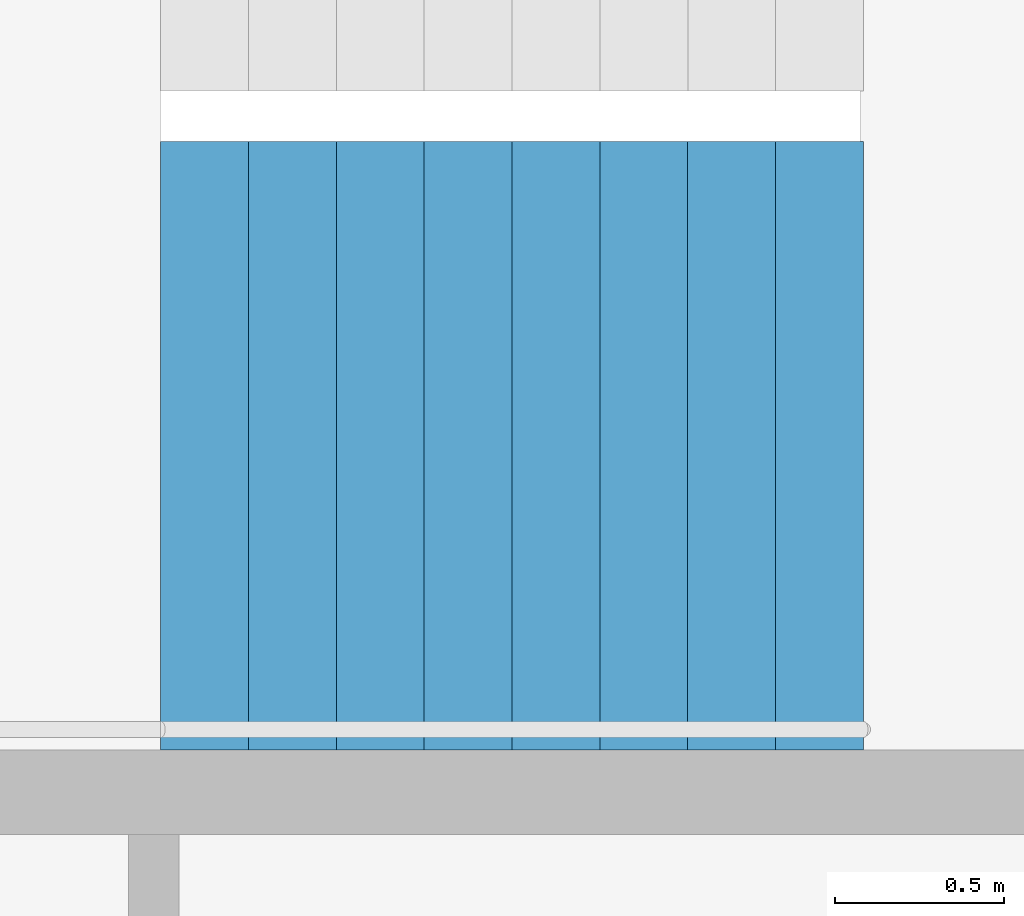
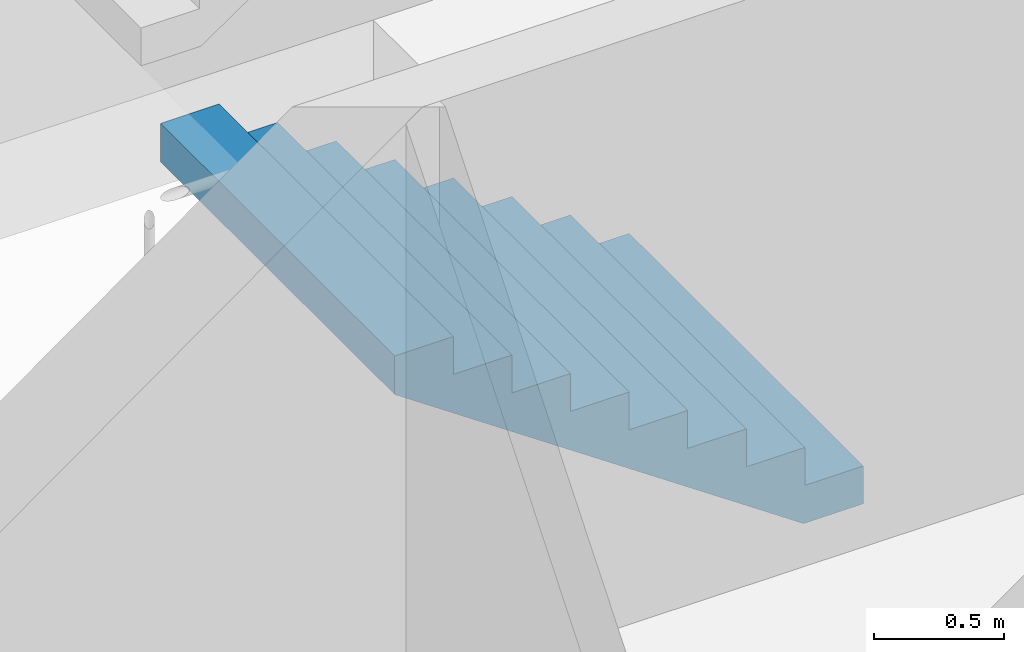
# One storey, part 22 of 28: 1 stair flight, 1 element without a shape of its own.
"""IFC4 building model written with IfcOpenShell, lengths in metres."""

from ifc_helpers import new_model, si_unit, direction, frame, origin, place, context, subcontext, project, spatial, triangles, material, type_object, element, aggregate, save


model = new_model("IFC4")

# Units and contexts
model_context = context("Model", 3, precision=1e-05, world=origin(), true_north=direction((0.0, 1.0)))
body_context = subcontext(model_context, "Body", "Model", "MODEL_VIEW")
ifc_project = project(units=[si_unit("LENGTHUNIT", "METRE"), si_unit("AREAUNIT", "SQUARE_METRE"), si_unit("VOLUMEUNIT", "CUBIC_METRE"), si_unit("PLANEANGLEUNIT", "RADIAN"), si_unit("MASSUNIT", "GRAM", prefix="KILO")], contexts=[model_context])

# Site, building, storey
site_placement = place(None, origin())
site = spatial("IfcSite", under=ifc_project, at=site_placement, CompositionType="ELEMENT")
building_placement = place(site_placement, origin())
building = spatial("IfcBuilding", under=site, at=building_placement, Name="Hakoniwa Tower and Hamabe Station Hall", CompositionType="ELEMENT")
storey_placement = place(building_placement, frame((0.0, 0.0, 193.0)))
storey = spatial("IfcBuildingStorey", under=building, at=storey_placement, Name="L54", CompositionType="ELEMENT", Elevation=193.0)

# Stair, stair flight
ifc_material_1 = material(Name="Concrete C40", Category="concrete")
stair_type = type_object("IfcStairType", Name="ESCAPE STAIR 1800", PredefinedType="HALF_TURN_STAIR", material=ifc_material_1)
stair_placement = place(storey_placement, origin())
stair = element("IfcStair", 1, at=stair_placement, inside=storey, type_object=stair_type, Name="Escape stair ST-3 L54", PredefinedType="HALF_TURN_STAIR")
ifc_material_2 = material(Name="Concrete C40", Category="concrete")
stair_flight_type = type_object("IfcStairFlightType", Name="STAIR FLIGHT 1800", PredefinedType="STRAIGHT", material=ifc_material_2)
stair_flight_placement = place(storey_placement, frame((24.39990234375, 4.64990234375, 0.0), z_axis=(0.0, 0.0, 1.0), x_axis=(-1.0, 0.0, 0.0)))
stair_flight = element("IfcStairFlight", 2, at=stair_flight_placement, type_object=stair_flight_type, Name="ST-3 flight 1", NumberOfRisers=9, NumberOfTreads=8, PredefinedType="STRAIGHT", RiserHeight=0.177777778, TreadLength=0.26, context=body_context, shape_type="Tessellation", body=[
    triangles([(0.0, 0.89990234375, 0.0), (0.260009765625, 0.89990234375, 0.0), (0.265625, 0.89990234375, 0.0), (0.52001953125, 0.89990234375, 0.174072265625), (0.780029296875, 0.89990234375, 0.351806640625), (1.0400390625, 0.89990234375, 0.529541015625), (1.300048828125, 0.89990234375, 0.707275390625), (1.56005859375, 0.89990234375, 0.885009765625), (1.820068359375, 0.89990234375, 1.062744140625), (2.080078125, 0.89990234375, 1.24072265625), (2.080078125, 0.89990234375, 1.422119140625), (1.820068359375, 0.89990234375, 1.422119140625), (1.820068359375, 0.89990234375, 1.244384765625), (1.56005859375, 0.89990234375, 1.244384765625), (1.56005859375, 0.89990234375, 1.066650390625), (1.300048828125, 0.89990234375, 1.066650390625), (1.300048828125, 0.89990234375, 0.888916015625), (1.0400390625, 0.89990234375, 0.888916015625), (1.0400390625, 0.89990234375, 0.711181640625), (0.780029296875, 0.89990234375, 0.711181640625), (0.780029296875, 0.89990234375, 0.533447265625), (0.52001953125, 0.89990234375, 0.533447265625), (0.52001953125, 0.89990234375, 0.35546875), (0.265625, 0.89990234375, 0.35546875), (0.260009765625, 0.89990234375, 0.35546875), (0.260009765625, 0.89990234375, 0.177734375), (0.0, 0.89990234375, 0.177734375), (0.0, 0.06005859375, 0.0), (0.260009765625, 0.06005859375, 0.0), (0.265625, 0.06005859375, 0.0), (0.52001953125, 0.06005859375, 0.174072265625), (0.780029296875, 0.06005859375, 0.351806640625), (1.0400390625, 0.06005859375, 0.529541015625), (1.300048828125, 0.06005859375, 0.707275390625), (1.56005859375, 0.06005859375, 0.885009765625), (1.820068359375, 0.06005859375, 1.062744140625), (2.080078125, 0.06005859375, 1.24072265625), (2.080078125, 0.06005859375, 1.422119140625), (1.820068359375, 0.06005859375, 1.422119140625), (1.820068359375, 0.06005859375, 1.244384765625), (1.56005859375, 0.06005859375, 1.244384765625), (1.56005859375, 0.06005859375, 1.066650390625), (1.300048828125, 0.06005859375, 1.066650390625), (1.300048828125, 0.06005859375, 0.888916015625), (1.0400390625, 0.06005859375, 0.888916015625), (1.0400390625, 0.06005859375, 0.711181640625), (0.780029296875, 0.06005859375, 0.711181640625), (0.780029296875, 0.06005859375, 0.533447265625), (0.52001953125, 0.06005859375, 0.533447265625), (0.52001953125, 0.06005859375, 0.35546875), (0.265625, 0.06005859375, 0.35546875), (0.260009765625, 0.06005859375, 0.35546875), (0.260009765625, 0.06005859375, 0.177734375), (0.0, 0.06005859375, 0.177734375), (0.0, 0.04296875, 0.0), (0.260009765625, 0.04296875, 0.0), (0.265625, 0.04296875, 0.0), (0.52001953125, 0.04296875, 0.174072265625), (0.780029296875, 0.04296875, 0.351806640625), (1.0400390625, 0.04296875, 0.529541015625), (1.300048828125, 0.04296875, 0.707275390625), (1.56005859375, 0.04296875, 0.885009765625), (1.820068359375, 0.04296875, 1.062744140625), (2.080078125, 0.04296875, 1.24072265625), (2.080078125, 0.04296875, 1.422119140625), (1.820068359375, 0.04296875, 1.422119140625), (1.820068359375, 0.04296875, 1.244384765625), (1.56005859375, 0.04296875, 1.244384765625), (1.56005859375, 0.04296875, 1.066650390625), (1.300048828125, 0.04296875, 1.066650390625), (1.300048828125, 0.04296875, 0.888916015625), (1.0400390625, 0.04296875, 0.888916015625), (1.0400390625, 0.04296875, 0.711181640625), (0.780029296875, 0.04296875, 0.711181640625), (0.780029296875, 0.04296875, 0.533447265625), (0.52001953125, 0.04296875, 0.533447265625), (0.52001953125, 0.04296875, 0.35546875), (0.265625, 0.04296875, 0.35546875), (0.260009765625, 0.04296875, 0.35546875), (0.260009765625, 0.04296875, 0.177734375), (0.0, 0.04296875, 0.177734375), (0.0, 0.025634765625, 0.0), (0.260009765625, 0.025634765625, 0.0), (0.265625, 0.025634765625, 0.0), (0.52001953125, 0.025634765625, 0.174072265625), (0.780029296875, 0.025634765625, 0.351806640625), (1.0400390625, 0.025634765625, 0.529541015625), (1.300048828125, 0.025634765625, 0.707275390625), (1.56005859375, 0.025634765625, 0.885009765625), (1.820068359375, 0.025634765625, 1.062744140625), (2.080078125, 0.025634765625, 1.24072265625), (2.080078125, 0.025634765625, 1.422119140625), (1.820068359375, 0.025634765625, 1.422119140625), (1.820068359375, 0.025634765625, 1.244384765625), (1.56005859375, 0.025634765625, 1.244384765625), (1.56005859375, 0.025634765625, 1.066650390625), (1.300048828125, 0.025634765625, 1.066650390625), (1.300048828125, 0.025634765625, 0.888916015625), (1.0400390625, 0.025634765625, 0.888916015625), (1.0400390625, 0.025634765625, 0.711181640625), (0.780029296875, 0.025634765625, 0.711181640625), (0.780029296875, 0.025634765625, 0.533447265625), (0.52001953125, 0.025634765625, 0.533447265625), (0.52001953125, 0.025634765625, 0.35546875), (0.265625, 0.025634765625, 0.35546875), (0.260009765625, 0.025634765625, 0.35546875), (0.260009765625, 0.025634765625, 0.177734375), (0.0, 0.025634765625, 0.177734375), (0.0, 0.008544921875, 0.0), (0.260009765625, 0.008544921875, 0.0), (0.265625, 0.008544921875, 0.0), (0.52001953125, 0.008544921875, 0.174072265625), (0.780029296875, 0.008544921875, 0.351806640625), (1.0400390625, 0.008544921875, 0.529541015625), (1.300048828125, 0.008544921875, 0.707275390625), (1.56005859375, 0.008544921875, 0.885009765625), (1.820068359375, 0.008544921875, 1.062744140625), (2.080078125, 0.008544921875, 1.24072265625), (2.080078125, 0.008544921875, 1.422119140625), (1.820068359375, 0.008544921875, 1.422119140625), (1.820068359375, 0.008544921875, 1.244384765625), (1.56005859375, 0.008544921875, 1.244384765625), (1.56005859375, 0.008544921875, 1.066650390625), (1.300048828125, 0.008544921875, 1.066650390625), (1.300048828125, 0.008544921875, 0.888916015625), (1.0400390625, 0.008544921875, 0.888916015625), (1.0400390625, 0.008544921875, 0.711181640625), (0.780029296875, 0.008544921875, 0.711181640625), (0.780029296875, 0.008544921875, 0.533447265625), (0.52001953125, 0.008544921875, 0.533447265625), (0.52001953125, 0.008544921875, 0.35546875), (0.265625, 0.008544921875, 0.35546875), (0.260009765625, 0.008544921875, 0.35546875), (0.260009765625, 0.008544921875, 0.177734375), (0.0, 0.008544921875, 0.177734375), (0.0, -0.008544921875, 0.0), (0.260009765625, -0.008544921875, 0.0), (0.265625, -0.008544921875, 0.0), (0.52001953125, -0.008544921875, 0.174072265625), (0.780029296875, -0.008544921875, 0.351806640625), (1.0400390625, -0.008544921875, 0.529541015625), (1.300048828125, -0.008544921875, 0.707275390625), (1.56005859375, -0.008544921875, 0.885009765625), (1.820068359375, -0.008544921875, 1.062744140625), (2.080078125, -0.008544921875, 1.24072265625), (2.080078125, -0.008544921875, 1.422119140625), (1.820068359375, -0.008544921875, 1.422119140625), (1.820068359375, -0.008544921875, 1.244384765625), (1.56005859375, -0.008544921875, 1.244384765625), (1.56005859375, -0.008544921875, 1.066650390625), (1.300048828125, -0.008544921875, 1.066650390625), (1.300048828125, -0.008544921875, 0.888916015625), (1.0400390625, -0.008544921875, 0.888916015625), (1.0400390625, -0.008544921875, 0.711181640625), (0.780029296875, -0.008544921875, 0.711181640625), (0.780029296875, -0.008544921875, 0.533447265625), (0.52001953125, -0.008544921875, 0.533447265625), (0.52001953125, -0.008544921875, 0.35546875), (0.265625, -0.008544921875, 0.35546875), (0.260009765625, -0.008544921875, 0.35546875), (0.260009765625, -0.008544921875, 0.177734375), (0.0, -0.008544921875, 0.177734375), (0.0, -0.025634765625, 0.0), (0.260009765625, -0.025634765625, 0.0), (0.265625, -0.025634765625, 0.0), (0.52001953125, -0.025634765625, 0.174072265625), (0.780029296875, -0.025634765625, 0.351806640625), (1.0400390625, -0.025634765625, 0.529541015625), (1.300048828125, -0.025634765625, 0.707275390625), (1.56005859375, -0.025634765625, 0.885009765625), (1.820068359375, -0.025634765625, 1.062744140625), (2.080078125, -0.025634765625, 1.24072265625), (2.080078125, -0.025634765625, 1.422119140625), (1.820068359375, -0.025634765625, 1.422119140625), (1.820068359375, -0.025634765625, 1.244384765625), (1.56005859375, -0.025634765625, 1.244384765625), (1.56005859375, -0.025634765625, 1.066650390625), (1.300048828125, -0.025634765625, 1.066650390625), (1.300048828125, -0.025634765625, 0.888916015625), (1.0400390625, -0.025634765625, 0.888916015625), (1.0400390625, -0.025634765625, 0.711181640625), (0.780029296875, -0.025634765625, 0.711181640625), (0.780029296875, -0.025634765625, 0.533447265625), (0.52001953125, -0.025634765625, 0.533447265625), (0.52001953125, -0.025634765625, 0.35546875), (0.265625, -0.025634765625, 0.35546875), (0.260009765625, -0.025634765625, 0.35546875), (0.260009765625, -0.025634765625, 0.177734375), (0.0, -0.025634765625, 0.177734375), (0.0, -0.04296875, 0.0), (0.260009765625, -0.04296875, 0.0), (0.265625, -0.04296875, 0.0), (0.52001953125, -0.04296875, 0.174072265625), (0.780029296875, -0.04296875, 0.351806640625), (1.0400390625, -0.04296875, 0.529541015625), (1.300048828125, -0.04296875, 0.707275390625), (1.56005859375, -0.04296875, 0.885009765625), (1.820068359375, -0.04296875, 1.062744140625), (2.080078125, -0.04296875, 1.24072265625), (2.080078125, -0.04296875, 1.422119140625), (1.820068359375, -0.04296875, 1.422119140625), (1.820068359375, -0.04296875, 1.244384765625), (1.56005859375, -0.04296875, 1.244384765625), (1.56005859375, -0.04296875, 1.066650390625), (1.300048828125, -0.04296875, 1.066650390625), (1.300048828125, -0.04296875, 0.888916015625), (1.0400390625, -0.04296875, 0.888916015625), (1.0400390625, -0.04296875, 0.711181640625), (0.780029296875, -0.04296875, 0.711181640625), (0.780029296875, -0.04296875, 0.533447265625), (0.52001953125, -0.04296875, 0.533447265625), (0.52001953125, -0.04296875, 0.35546875), (0.265625, -0.04296875, 0.35546875), (0.260009765625, -0.04296875, 0.35546875), (0.260009765625, -0.04296875, 0.177734375), (0.0, -0.04296875, 0.177734375), (0.0, -0.06005859375, 0.0), (0.260009765625, -0.06005859375, 0.0), (0.265625, -0.06005859375, 0.0), (0.52001953125, -0.06005859375, 0.174072265625), (0.780029296875, -0.06005859375, 0.351806640625), (1.0400390625, -0.06005859375, 0.529541015625), (1.300048828125, -0.06005859375, 0.707275390625), (1.56005859375, -0.06005859375, 0.885009765625), (1.820068359375, -0.06005859375, 1.062744140625), (2.080078125, -0.06005859375, 1.24072265625), (2.080078125, -0.06005859375, 1.422119140625), (1.820068359375, -0.06005859375, 1.422119140625), (1.820068359375, -0.06005859375, 1.244384765625), (1.56005859375, -0.06005859375, 1.244384765625), (1.56005859375, -0.06005859375, 1.066650390625), (1.300048828125, -0.06005859375, 1.066650390625), (1.300048828125, -0.06005859375, 0.888916015625), (1.0400390625, -0.06005859375, 0.888916015625), (1.0400390625, -0.06005859375, 0.711181640625), (0.780029296875, -0.06005859375, 0.711181640625), (0.780029296875, -0.06005859375, 0.533447265625), (0.52001953125, -0.06005859375, 0.533447265625), (0.52001953125, -0.06005859375, 0.35546875), (0.265625, -0.06005859375, 0.35546875), (0.260009765625, -0.06005859375, 0.35546875), (0.260009765625, -0.06005859375, 0.177734375), (0.0, -0.06005859375, 0.177734375), (0.0, -0.89990234375, 0.0), (0.260009765625, -0.89990234375, 0.0), (0.265625, -0.89990234375, 0.0), (0.52001953125, -0.89990234375, 0.174072265625), (0.780029296875, -0.89990234375, 0.351806640625), (1.0400390625, -0.89990234375, 0.529541015625), (1.300048828125, -0.89990234375, 0.707275390625), (1.56005859375, -0.89990234375, 0.885009765625), (1.820068359375, -0.89990234375, 1.062744140625), (2.080078125, -0.89990234375, 1.24072265625), (2.080078125, -0.89990234375, 1.422119140625), (1.820068359375, -0.89990234375, 1.422119140625), (1.820068359375, -0.89990234375, 1.244384765625), (1.56005859375, -0.89990234375, 1.244384765625), (1.56005859375, -0.89990234375, 1.066650390625), (1.300048828125, -0.89990234375, 1.066650390625), (1.300048828125, -0.89990234375, 0.888916015625), (1.0400390625, -0.89990234375, 0.888916015625), (1.0400390625, -0.89990234375, 0.711181640625), (0.780029296875, -0.89990234375, 0.711181640625), (0.780029296875, -0.89990234375, 0.533447265625), (0.52001953125, -0.89990234375, 0.533447265625), (0.52001953125, -0.89990234375, 0.35546875), (0.265625, -0.89990234375, 0.35546875), (0.260009765625, -0.89990234375, 0.35546875), (0.260009765625, -0.89990234375, 0.177734375), (0.0, -0.89990234375, 0.177734375)], [[2, 27, 26], [245, 269, 270], [2, 1, 27], [245, 270, 244], [3, 25, 24], [246, 267, 268], [3, 26, 25], [246, 268, 269], [3, 2, 26], [246, 269, 245], [4, 24, 23], [247, 266, 267], [4, 3, 24], [247, 267, 246], [5, 22, 21], [248, 264, 265], [5, 23, 22], [248, 265, 266], [5, 4, 23], [248, 266, 247], [6, 20, 19], [249, 262, 263], [6, 21, 20], [249, 263, 264], [6, 5, 21], [249, 264, 248], [7, 18, 17], [250, 260, 261], [7, 19, 18], [250, 261, 262], [7, 6, 19], [250, 262, 249], [8, 16, 15], [251, 258, 259], [8, 17, 16], [251, 259, 260], [8, 7, 17], [251, 260, 250], [9, 14, 13], [252, 256, 257], [9, 15, 14], [252, 257, 258], [9, 8, 15], [252, 258, 251], [10, 12, 11], [253, 254, 255], [10, 13, 12], [253, 255, 256], [10, 9, 13], [253, 256, 252], [1, 2, 29], [1, 29, 28], [28, 29, 56], [28, 56, 55], [55, 56, 83], [55, 83, 82], [82, 83, 110], [82, 110, 109], [109, 110, 137], [109, 137, 136], [136, 137, 164], [136, 164, 163], [163, 164, 191], [163, 191, 190], [190, 191, 218], [190, 218, 217], [217, 218, 245], [217, 245, 244], [2, 3, 30], [2, 30, 29], [29, 30, 57], [29, 57, 56], [56, 57, 84], [56, 84, 83], [83, 84, 111], [83, 111, 110], [110, 111, 138], [110, 138, 137], [137, 138, 165], [137, 165, 164], [164, 165, 192], [164, 192, 191], [191, 192, 219], [191, 219, 218], [218, 219, 246], [218, 246, 245], [3, 4, 31], [3, 31, 30], [30, 31, 58], [30, 58, 57], [57, 58, 85], [57, 85, 84], [84, 85, 112], [84, 112, 111], [111, 112, 139], [111, 139, 138], [138, 139, 166], [138, 166, 165], [165, 166, 193], [165, 193, 192], [192, 193, 220], [192, 220, 219], [219, 220, 247], [219, 247, 246], [4, 5, 32], [4, 32, 31], [31, 32, 59], [31, 59, 58], [58, 59, 86], [58, 86, 85], [85, 86, 113], [85, 113, 112], [112, 113, 140], [112, 140, 139], [139, 140, 167], [139, 167, 166], [166, 167, 194], [166, 194, 193], [193, 194, 221], [193, 221, 220], [220, 221, 248], [220, 248, 247], [5, 6, 33], [5, 33, 32], [32, 33, 60], [32, 60, 59], [59, 60, 87], [59, 87, 86], [86, 87, 114], [86, 114, 113], [113, 114, 141], [113, 141, 140], [140, 141, 168], [140, 168, 167], [167, 168, 195], [167, 195, 194], [194, 195, 222], [194, 222, 221], [221, 222, 249], [221, 249, 248], [6, 7, 34], [6, 34, 33], [33, 34, 61], [33, 61, 60], [60, 61, 88], [60, 88, 87], [87, 88, 115], [87, 115, 114], [114, 115, 142], [114, 142, 141], [141, 142, 169], [141, 169, 168], [168, 169, 196], [168, 196, 195], [195, 196, 223], [195, 223, 222], [222, 223, 250], [222, 250, 249], [7, 8, 35], [7, 35, 34], [34, 35, 62], [34, 62, 61], [61, 62, 89], [61, 89, 88], [88, 89, 116], [88, 116, 115], [115, 116, 143], [115, 143, 142], [142, 143, 170], [142, 170, 169], [169, 170, 197], [169, 197, 196], [196, 197, 224], [196, 224, 223], [223, 224, 251], [223, 251, 250], [8, 9, 36], [8, 36, 35], [35, 36, 63], [35, 63, 62], [62, 63, 90], [62, 90, 89], [89, 90, 117], [89, 117, 116], [116, 117, 144], [116, 144, 143], [143, 144, 171], [143, 171, 170], [170, 171, 198], [170, 198, 197], [197, 198, 225], [197, 225, 224], [224, 225, 252], [224, 252, 251], [9, 10, 37], [9, 37, 36], [36, 37, 64], [36, 64, 63], [63, 64, 91], [63, 91, 90], [90, 91, 118], [90, 118, 117], [117, 118, 145], [117, 145, 144], [144, 145, 172], [144, 172, 171], [171, 172, 199], [171, 199, 198], [198, 199, 226], [198, 226, 225], [225, 226, 253], [225, 253, 252], [10, 11, 38], [10, 38, 37], [37, 38, 65], [37, 65, 64], [64, 65, 92], [64, 92, 91], [91, 92, 119], [91, 119, 118], [118, 119, 146], [118, 146, 145], [145, 146, 173], [145, 173, 172], [172, 173, 200], [172, 200, 199], [199, 200, 227], [199, 227, 226], [226, 227, 254], [226, 254, 253], [11, 12, 39], [11, 39, 38], [38, 39, 66], [38, 66, 65], [65, 66, 93], [65, 93, 92], [92, 93, 120], [92, 120, 119], [119, 120, 147], [119, 147, 146], [146, 147, 174], [146, 174, 173], [173, 174, 201], [173, 201, 200], [200, 201, 228], [200, 228, 227], [227, 228, 255], [227, 255, 254], [12, 13, 40], [12, 40, 39], [39, 40, 67], [39, 67, 66], [66, 67, 94], [66, 94, 93], [93, 94, 121], [93, 121, 120], [120, 121, 148], [120, 148, 147], [147, 148, 175], [147, 175, 174], [174, 175, 202], [174, 202, 201], [201, 202, 229], [201, 229, 228], [228, 229, 256], [228, 256, 255], [13, 14, 41], [13, 41, 40], [40, 41, 68], [40, 68, 67], [67, 68, 95], [67, 95, 94], [94, 95, 122], [94, 122, 121], [121, 122, 149], [121, 149, 148], [148, 149, 176], [148, 176, 175], [175, 176, 203], [175, 203, 202], [202, 203, 230], [202, 230, 229], [229, 230, 257], [229, 257, 256], [14, 15, 42], [14, 42, 41], [41, 42, 69], [41, 69, 68], [68, 69, 96], [68, 96, 95], [95, 96, 123], [95, 123, 122], [122, 123, 150], [122, 150, 149], [149, 150, 177], [149, 177, 176], [176, 177, 204], [176, 204, 203], [203, 204, 231], [203, 231, 230], [230, 231, 258], [230, 258, 257], [15, 16, 43], [15, 43, 42], [42, 43, 70], [42, 70, 69], [69, 70, 97], [69, 97, 96], [96, 97, 124], [96, 124, 123], [123, 124, 151], [123, 151, 150], [150, 151, 178], [150, 178, 177], [177, 178, 205], [177, 205, 204], [204, 205, 232], [204, 232, 231], [231, 232, 259], [231, 259, 258], [16, 17, 44], [16, 44, 43], [43, 44, 71], [43, 71, 70], [70, 71, 98], [70, 98, 97], [97, 98, 125], [97, 125, 124], [124, 125, 152], [124, 152, 151], [151, 152, 179], [151, 179, 178], [178, 179, 206], [178, 206, 205], [205, 206, 233], [205, 233, 232], [232, 233, 260], [232, 260, 259], [17, 18, 45], [17, 45, 44], [44, 45, 72], [44, 72, 71], [71, 72, 99], [71, 99, 98], [98, 99, 126], [98, 126, 125], [125, 126, 153], [125, 153, 152], [152, 153, 180], [152, 180, 179], [179, 180, 207], [179, 207, 206], [206, 207, 234], [206, 234, 233], [233, 234, 261], [233, 261, 260], [18, 19, 46], [18, 46, 45], [45, 46, 73], [45, 73, 72], [72, 73, 100], [72, 100, 99], [99, 100, 127], [99, 127, 126], [126, 127, 154], [126, 154, 153], [153, 154, 181], [153, 181, 180], [180, 181, 208], [180, 208, 207], [207, 208, 235], [207, 235, 234], [234, 235, 262], [234, 262, 261], [19, 20, 47], [19, 47, 46], [46, 47, 74], [46, 74, 73], [73, 74, 101], [73, 101, 100], [100, 101, 128], [100, 128, 127], [127, 128, 155], [127, 155, 154], [154, 155, 182], [154, 182, 181], [181, 182, 209], [181, 209, 208], [208, 209, 236], [208, 236, 235], [235, 236, 263], [235, 263, 262], [20, 21, 48], [20, 48, 47], [47, 48, 75], [47, 75, 74], [74, 75, 102], [74, 102, 101], [101, 102, 129], [101, 129, 128], [128, 129, 156], [128, 156, 155], [155, 156, 183], [155, 183, 182], [182, 183, 210], [182, 210, 209], [209, 210, 237], [209, 237, 236], [236, 237, 264], [236, 264, 263], [21, 22, 49], [21, 49, 48], [48, 49, 76], [48, 76, 75], [75, 76, 103], [75, 103, 102], [102, 103, 130], [102, 130, 129], [129, 130, 157], [129, 157, 156], [156, 157, 184], [156, 184, 183], [183, 184, 211], [183, 211, 210], [210, 211, 238], [210, 238, 237], [237, 238, 265], [237, 265, 264], [22, 23, 50], [22, 50, 49], [49, 50, 77], [49, 77, 76], [76, 77, 104], [76, 104, 103], [103, 104, 131], [103, 131, 130], [130, 131, 158], [130, 158, 157], [157, 158, 185], [157, 185, 184], [184, 185, 212], [184, 212, 211], [211, 212, 239], [211, 239, 238], [238, 239, 266], [238, 266, 265], [23, 24, 51], [23, 51, 50], [50, 51, 78], [50, 78, 77], [77, 78, 105], [77, 105, 104], [104, 105, 132], [104, 132, 131], [131, 132, 159], [131, 159, 158], [158, 159, 186], [158, 186, 185], [185, 186, 213], [185, 213, 212], [212, 213, 240], [212, 240, 239], [239, 240, 267], [239, 267, 266], [24, 25, 52], [24, 52, 51], [51, 52, 79], [51, 79, 78], [78, 79, 106], [78, 106, 105], [105, 106, 133], [105, 133, 132], [132, 133, 160], [132, 160, 159], [159, 160, 187], [159, 187, 186], [186, 187, 214], [186, 214, 213], [213, 214, 241], [213, 241, 240], [240, 241, 268], [240, 268, 267], [25, 26, 53], [25, 53, 52], [52, 53, 80], [52, 80, 79], [79, 80, 107], [79, 107, 106], [106, 107, 134], [106, 134, 133], [133, 134, 161], [133, 161, 160], [160, 161, 188], [160, 188, 187], [187, 188, 215], [187, 215, 214], [214, 215, 242], [214, 242, 241], [241, 242, 269], [241, 269, 268], [26, 27, 54], [26, 54, 53], [53, 54, 81], [53, 81, 80], [80, 81, 108], [80, 108, 107], [107, 108, 135], [107, 135, 134], [134, 135, 162], [134, 162, 161], [161, 162, 189], [161, 189, 188], [188, 189, 216], [188, 216, 215], [215, 216, 243], [215, 243, 242], [242, 243, 270], [242, 270, 269], [27, 1, 28], [27, 28, 54], [54, 28, 55], [54, 55, 81], [81, 55, 82], [81, 82, 108], [108, 82, 109], [108, 109, 135], [135, 109, 136], [135, 136, 162], [162, 136, 163], [162, 163, 189], [189, 163, 190], [189, 190, 216], [216, 190, 217], [216, 217, 243], [243, 217, 244], [243, 244, 270]], closed=True),
])
aggregate(stair, [stair_flight])

save(model, "model.ifc")
